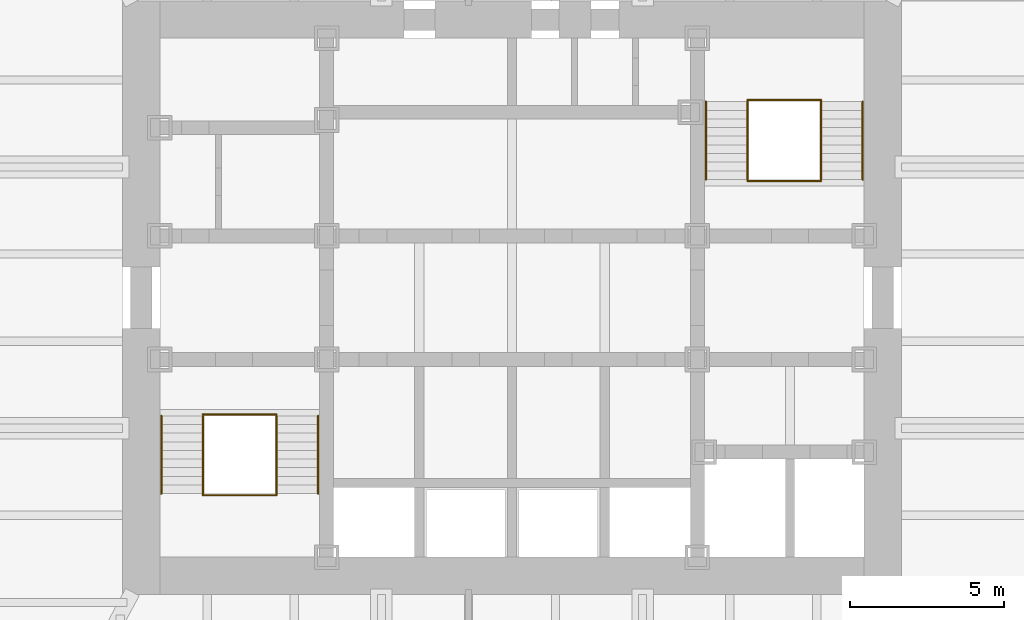
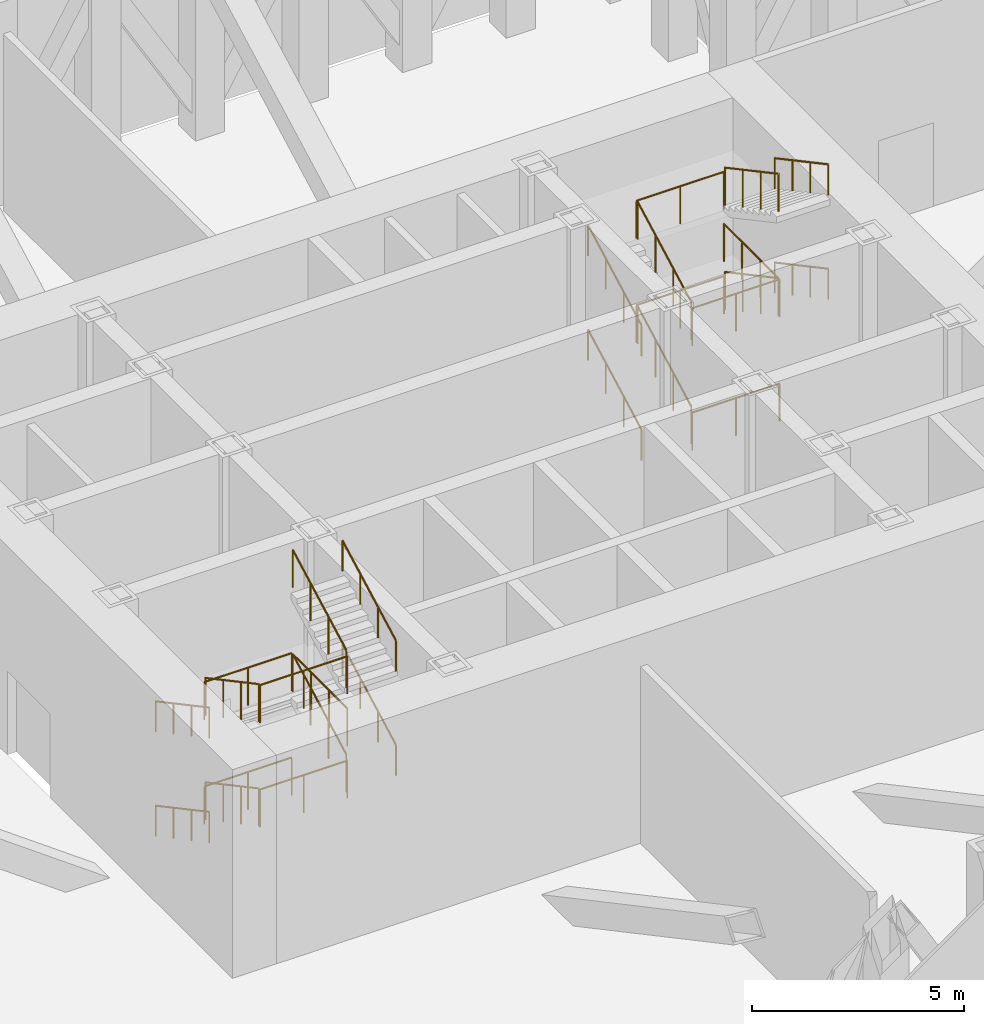
# One storey, part 12 of 12: 26 railings.
"""IFC4 building model written with IfcOpenShell, lengths in metres."""

from ifc_helpers import new_model, si_unit, direction, frame, origin, origin_2d, place, context, subcontext, project, spatial, circle, extrude, material, type_object, element, save


model = new_model("IFC4")

# Units and contexts
model_context = context("Model", 3, precision=1e-05, world=origin(), true_north=direction((0.0, 1.0)))
body_context = subcontext(model_context, "Body", "Model", "MODEL_VIEW")
ifc_project = project(units=[si_unit("LENGTHUNIT", "METRE"), si_unit("AREAUNIT", "SQUARE_METRE"), si_unit("VOLUMEUNIT", "CUBIC_METRE"), si_unit("PLANEANGLEUNIT", "RADIAN"), si_unit("MASSUNIT", "GRAM", prefix="KILO")], contexts=[model_context])

# Site, building, storey
site_placement = place(None, origin())
site = spatial("IfcSite", under=ifc_project, at=site_placement, CompositionType="ELEMENT")
building_placement = place(site_placement, origin())
building = spatial("IfcBuilding", under=site, at=building_placement, Name="Daluyong Arena Tower", CompositionType="ELEMENT")
storey_placement = place(building_placement, frame((0.0, 0.0, 244.300048828125)))
storey = spatial("IfcBuildingStorey", under=building, at=storey_placement, Name="L55", CompositionType="ELEMENT", Elevation=244.300048828125)

# Railings
ifc_material_1 = material(Name="Stainless steel handrail", Category="steel")
railing_type_1 = type_object("IfcRailingType", Name="Stair handrail", PredefinedType="HANDRAIL", material=ifc_material_1)
railing_1_placement = place(storey_placement, frame((44.64990234375, 76.175048828125, 0.14990234375)))
element("IfcRailing", 1, at=railing_1_placement, inside=storey, type_object=railing_type_1, Name="exit stair A handrail L55", PredefinedType="HANDRAIL", context=body_context, shape_type="SweptSolid", body=[
    extrude(circle(Radius=0.02392578125, at=origin_2d()), frame((0.0, 0.0, 0.8759765625), z_axis=(0.0, -0.881467274426, 0.472245110209), x_axis=(1.0, 0.0, 0.0)), (0.0, 0.0, 1.0), 2.85888671875),
    extrude(circle(Radius=0.02099609375, at=origin_2d()), origin(), (0.0, 0.0, 1.0), 0.851806640625),
    extrude(circle(Radius=0.02099609375, at=origin_2d()), frame((0.0, -0.840087890625, 0.449951171875)), (0.0, 0.0, 1.0), 0.851806640625),
    extrude(circle(Radius=0.02099609375, at=origin_2d()), frame((0.0, -1.679931640625, 0.900146484375)), (0.0, 0.0, 1.0), 0.851806640625),
    extrude(circle(Radius=0.02099609375, at=origin_2d()), frame((0.0, -2.52001953125, 1.35009765625)), (0.0, 0.0, 1.0), 0.851806640625),
])
railing_2_placement = place(storey_placement, frame((49.72509765625, 73.655029296875, 1.64990234375)))
element("IfcRailing", 2, at=railing_2_placement, inside=storey, type_object=railing_type_1, Name="exit stair A handrail L55", PredefinedType="HANDRAIL", context=body_context, shape_type="SweptSolid", body=[
    extrude(circle(Radius=0.02392578125, at=origin_2d()), frame((0.0, 0.0, 0.8759765625), z_axis=(0.0, 0.881467274426, 0.472245110209), x_axis=(-1.0, 0.0, 0.0)), (0.0, 0.0, 1.0), 2.85888671875),
    extrude(circle(Radius=0.02099609375, at=origin_2d()), origin(), (0.0, 0.0, 1.0), 0.851806640625),
    extrude(circle(Radius=0.02099609375, at=origin_2d()), frame((0.0, 0.840087890625, 0.449951171875)), (0.0, 0.0, 1.0), 0.851806640625),
    extrude(circle(Radius=0.02099609375, at=origin_2d()), frame((0.0, 1.679931640625, 0.900146484375)), (0.0, 0.0, 1.0), 0.851806640625),
    extrude(circle(Radius=0.02099609375, at=origin_2d()), frame((0.0, 2.52001953125, 1.35009765625)), (0.0, 0.0, 1.0), 0.851806640625),
])
railing_3_placement = place(storey_placement, frame((44.64990234375, 76.175048828125, 3.14990234375)))
element("IfcRailing", 3, at=railing_3_placement, inside=storey, type_object=railing_type_1, Name="exit stair A handrail L55", PredefinedType="HANDRAIL", context=body_context, shape_type="SweptSolid", body=[
    extrude(circle(Radius=0.02392578125, at=origin_2d()), frame((0.0, 0.0, 0.8759765625), z_axis=(0.0, -0.881467274426, 0.472245110209), x_axis=(1.0, 0.0, 0.0)), (0.0, 0.0, 1.0), 2.85888671875),
    extrude(circle(Radius=0.02099609375, at=origin_2d()), origin(), (0.0, 0.0, 1.0), 0.851806640625),
    extrude(circle(Radius=0.02099609375, at=origin_2d()), frame((0.0, -0.840087890625, 0.449951171875)), (0.0, 0.0, 1.0), 0.851806640625),
    extrude(circle(Radius=0.02099609375, at=origin_2d()), frame((0.0, -1.679931640625, 0.900146484375)), (0.0, 0.0, 1.0), 0.851806640625),
    extrude(circle(Radius=0.02099609375, at=origin_2d()), frame((0.0, -2.52001953125, 1.35009765625)), (0.0, 0.0, 1.0), 0.851806640625),
])
for number, where, name in (
    (4, (49.72509765625, 73.655029296875, 4.64990234375), "exit stair A handrail L55"),
    (5, (62.27490234375, 83.824951171875, 0.14990234375), "exit stair B handrail L55"),
):
    element("IfcRailing", number, at=place(storey_placement, frame(where)), inside=storey, type_object=railing_type_1, Name=name, PredefinedType="HANDRAIL", context=body_context, shape_type="SweptSolid", body=[
        extrude(circle(Radius=0.02392578125, at=origin_2d()), frame((0.0, 0.0, 0.8759765625), z_axis=(0.0, 0.881467274426, 0.472245110209), x_axis=(-1.0, 0.0, 0.0)), (0.0, 0.0, 1.0), 2.85888671875),
        extrude(circle(Radius=0.02099609375, at=origin_2d()), origin(), (0.0, 0.0, 1.0), 0.851806640625),
        extrude(circle(Radius=0.02099609375, at=origin_2d()), frame((0.0, 0.840087890625, 0.449951171875)), (0.0, 0.0, 1.0), 0.851806640625),
        extrude(circle(Radius=0.02099609375, at=origin_2d()), frame((0.0, 1.679931640625, 0.900146484375)), (0.0, 0.0, 1.0), 0.851806640625),
        extrude(circle(Radius=0.02099609375, at=origin_2d()), frame((0.0, 2.52001953125, 1.35009765625)), (0.0, 0.0, 1.0), 0.851806640625),
    ])
railing_4_placement = place(storey_placement, frame((67.35009765625, 86.344970703125, 1.64990234375)))
element("IfcRailing", 6, at=railing_4_placement, inside=storey, type_object=railing_type_1, Name="exit stair B handrail L55", PredefinedType="HANDRAIL", context=body_context, shape_type="SweptSolid", body=[
    extrude(circle(Radius=0.02392578125, at=origin_2d()), frame((0.0, 0.0, 0.8759765625), z_axis=(0.0, -0.881467274426, 0.472245110209), x_axis=(1.0, 0.0, 0.0)), (0.0, 0.0, 1.0), 2.85888671875),
    extrude(circle(Radius=0.02099609375, at=origin_2d()), origin(), (0.0, 0.0, 1.0), 0.851806640625),
    extrude(circle(Radius=0.02099609375, at=origin_2d()), frame((0.0, -0.840087890625, 0.449951171875)), (0.0, 0.0, 1.0), 0.851806640625),
    extrude(circle(Radius=0.02099609375, at=origin_2d()), frame((0.0, -1.679931640625, 0.900146484375)), (0.0, 0.0, 1.0), 0.851806640625),
    extrude(circle(Radius=0.02099609375, at=origin_2d()), frame((0.0, -2.52001953125, 1.35009765625)), (0.0, 0.0, 1.0), 0.851806640625),
])
railing_5_placement = place(storey_placement, frame((62.27490234375, 83.824951171875, 3.14990234375)))
element("IfcRailing", 7, at=railing_5_placement, inside=storey, type_object=railing_type_1, Name="exit stair B handrail L55", PredefinedType="HANDRAIL", context=body_context, shape_type="SweptSolid", body=[
    extrude(circle(Radius=0.02392578125, at=origin_2d()), frame((0.0, 0.0, 0.8759765625), z_axis=(0.0, 0.881467274426, 0.472245110209), x_axis=(-1.0, 0.0, 0.0)), (0.0, 0.0, 1.0), 2.85888671875),
    extrude(circle(Radius=0.02099609375, at=origin_2d()), origin(), (0.0, 0.0, 1.0), 0.851806640625),
    extrude(circle(Radius=0.02099609375, at=origin_2d()), frame((0.0, 0.840087890625, 0.449951171875)), (0.0, 0.0, 1.0), 0.851806640625),
    extrude(circle(Radius=0.02099609375, at=origin_2d()), frame((0.0, 1.679931640625, 0.900146484375)), (0.0, 0.0, 1.0), 0.851806640625),
    extrude(circle(Radius=0.02099609375, at=origin_2d()), frame((0.0, 2.52001953125, 1.35009765625)), (0.0, 0.0, 1.0), 0.851806640625),
])
railing_6_placement = place(storey_placement, frame((67.35009765625, 86.344970703125, 4.64990234375)))
element("IfcRailing", 8, at=railing_6_placement, inside=storey, type_object=railing_type_1, Name="exit stair B handrail L55", PredefinedType="HANDRAIL", context=body_context, shape_type="SweptSolid", body=[
    extrude(circle(Radius=0.02392578125, at=origin_2d()), frame((0.0, 0.0, 0.8759765625), z_axis=(0.0, -0.881467274426, 0.472245110209), x_axis=(1.0, 0.0, 0.0)), (0.0, 0.0, 1.0), 2.85888671875),
    extrude(circle(Radius=0.02099609375, at=origin_2d()), origin(), (0.0, 0.0, 1.0), 0.851806640625),
    extrude(circle(Radius=0.02099609375, at=origin_2d()), frame((0.0, -0.840087890625, 0.449951171875)), (0.0, 0.0, 1.0), 0.851806640625),
    extrude(circle(Radius=0.02099609375, at=origin_2d()), frame((0.0, -1.679931640625, 0.900146484375)), (0.0, 0.0, 1.0), 0.851806640625),
    extrude(circle(Radius=0.02099609375, at=origin_2d()), frame((0.0, -2.52001953125, 1.35009765625)), (0.0, 0.0, 1.0), 0.851806640625),
])
ifc_material_2 = material(Name="Steel balustrade", Category="steel")
railing_type_2 = type_object("IfcRailingType", Name="Stair well guard 1100", PredefinedType="GUARDRAIL", material=ifc_material_2)
railing_7_placement = place(storey_placement, frame((46.0, 76.175048828125, 0.14990234375)))
element("IfcRailing", 9, at=railing_7_placement, inside=storey, type_object=railing_type_2, Name="exit stair A well guard L55", PredefinedType="GUARDRAIL", context=body_context, shape_type="SweptSolid", body=[
    extrude(circle(Radius=0.02392578125, at=origin_2d()), frame((0.0, 0.0, 1.076171875), z_axis=(0.0, -0.881467274426, 0.472245110209), x_axis=(1.0, 0.0, 0.0)), (0.0, 0.0, 1.0), 2.85888671875),
    extrude(circle(Radius=0.02099609375, at=origin_2d()), origin(), (0.0, 0.0, 1.0), 1.052001953125),
    extrude(circle(Radius=0.02099609375, at=origin_2d()), frame((0.0, -0.840087890625, 0.449951171875)), (0.0, 0.0, 1.0), 1.052001953125),
    extrude(circle(Radius=0.02099609375, at=origin_2d()), frame((0.0, -1.679931640625, 0.900146484375)), (0.0, 0.0, 1.0), 1.052001953125),
    extrude(circle(Radius=0.02099609375, at=origin_2d()), frame((0.0, -2.52001953125, 1.35009765625)), (0.0, 0.0, 1.0), 1.052001953125),
])
railing_8_placement = place(storey_placement, frame((48.375, 73.655029296875, 1.64990234375)))
element("IfcRailing", 10, at=railing_8_placement, inside=storey, type_object=railing_type_2, Name="exit stair A well guard L55", PredefinedType="GUARDRAIL", context=body_context, shape_type="SweptSolid", body=[
    extrude(circle(Radius=0.02392578125, at=origin_2d()), frame((0.0, 0.0, 1.076171875), z_axis=(0.0, 0.881467274426, 0.472245110209), x_axis=(-1.0, 0.0, 0.0)), (0.0, 0.0, 1.0), 2.85888671875),
    extrude(circle(Radius=0.02099609375, at=origin_2d()), origin(), (0.0, 0.0, 1.0), 1.052001953125),
    extrude(circle(Radius=0.02099609375, at=origin_2d()), frame((0.0, 0.840087890625, 0.449951171875)), (0.0, 0.0, 1.0), 1.052001953125),
    extrude(circle(Radius=0.02099609375, at=origin_2d()), frame((0.0, 1.679931640625, 0.900146484375)), (0.0, 0.0, 1.0), 1.052001953125),
    extrude(circle(Radius=0.02099609375, at=origin_2d()), frame((0.0, 2.52001953125, 1.35009765625)), (0.0, 0.0, 1.0), 1.052001953125),
])
railing_9_placement = place(storey_placement, frame((46.0, 76.175048828125, 3.14990234375)))
element("IfcRailing", 11, at=railing_9_placement, inside=storey, type_object=railing_type_2, Name="exit stair A well guard L55", PredefinedType="GUARDRAIL", context=body_context, shape_type="SweptSolid", body=[
    extrude(circle(Radius=0.02392578125, at=origin_2d()), frame((0.0, 0.0, 1.076171875), z_axis=(0.0, -0.881467274426, 0.472245110209), x_axis=(1.0, 0.0, 0.0)), (0.0, 0.0, 1.0), 2.85888671875),
    extrude(circle(Radius=0.02099609375, at=origin_2d()), origin(), (0.0, 0.0, 1.0), 1.052001953125),
    extrude(circle(Radius=0.02099609375, at=origin_2d()), frame((0.0, -0.840087890625, 0.449951171875)), (0.0, 0.0, 1.0), 1.052001953125),
    extrude(circle(Radius=0.02099609375, at=origin_2d()), frame((0.0, -1.679931640625, 0.900146484375)), (0.0, 0.0, 1.0), 1.052001953125),
    extrude(circle(Radius=0.02099609375, at=origin_2d()), frame((0.0, -2.52001953125, 1.35009765625)), (0.0, 0.0, 1.0), 1.052001953125),
])
railing_10_placement = place(storey_placement, frame((48.375, 73.655029296875, 4.64990234375)))
element("IfcRailing", 12, at=railing_10_placement, inside=storey, type_object=railing_type_2, Name="exit stair A well guard L55", PredefinedType="GUARDRAIL", context=body_context, shape_type="SweptSolid", body=[
    extrude(circle(Radius=0.02392578125, at=origin_2d()), frame((0.0, 0.0, 1.076171875), z_axis=(0.0, 0.881467274426, 0.472245110209), x_axis=(-1.0, 0.0, 0.0)), (0.0, 0.0, 1.0), 2.85888671875),
    extrude(circle(Radius=0.02099609375, at=origin_2d()), origin(), (0.0, 0.0, 1.0), 1.052001953125),
    extrude(circle(Radius=0.02099609375, at=origin_2d()), frame((0.0, 0.840087890625, 0.449951171875)), (0.0, 0.0, 1.0), 1.052001953125),
    extrude(circle(Radius=0.02099609375, at=origin_2d()), frame((0.0, 1.679931640625, 0.900146484375)), (0.0, 0.0, 1.0), 1.052001953125),
    extrude(circle(Radius=0.02099609375, at=origin_2d()), frame((0.0, 2.52001953125, 1.35009765625)), (0.0, 0.0, 1.0), 1.052001953125),
])
for number, where, name in (
    (13, (46.0, 73.60498046875, 1.5), "exit stair A landing guard L55"),
    (14, (46.0, 76.22509765625, 3.0), "exit stair A landing guard L55"),
    (15, (46.0, 73.60498046875, 4.5), "exit stair A landing guard L55"),
):
    element("IfcRailing", number, at=place(storey_placement, frame(where)), inside=storey, type_object=railing_type_2, Name=name, PredefinedType="GUARDRAIL", context=body_context, shape_type="SweptSolid", body=[
        extrude(circle(Radius=0.02392578125, at=origin_2d()), frame((0.0, 0.0, 1.076171875), z_axis=(1.0, 0.0, 0.0), x_axis=(0.0, 1.0, 0.0)), (0.0, 0.0, 1.0), 2.375),
        extrude(circle(Radius=0.02099609375, at=origin_2d()), origin(), (0.0, 0.0, 1.0), 1.052001953125),
        extrude(circle(Radius=0.02099609375, at=origin_2d()), frame((1.1875, 0.0, 0.0)), (0.0, 0.0, 1.0), 1.052001953125),
        extrude(circle(Radius=0.02099609375, at=origin_2d()), frame((2.375, 0.0, 0.0)), (0.0, 0.0, 1.0), 1.052001953125),
    ])
railing_11_placement = place(storey_placement, frame((48.375, 73.60498046875, 3.0)))
element("IfcRailing", 16, at=railing_11_placement, inside=storey, type_object=railing_type_2, Name="exit stair A landing guard L55", PredefinedType="GUARDRAIL", context=body_context, shape_type="SweptSolid", body=[
    extrude(circle(Radius=0.02392578125, at=origin_2d()), frame((0.0, 0.0, 1.076171875), z_axis=(0.0, 1.0, 0.0), x_axis=(-1.0, 0.0, 0.0)), (0.0, 0.0, 1.0), 2.570068359375),
    extrude(circle(Radius=0.02099609375, at=origin_2d()), origin(), (0.0, 0.0, 1.0), 1.052001953125),
    extrude(circle(Radius=0.02099609375, at=origin_2d()), frame((0.0, 0.856689453125, 0.0)), (0.0, 0.0, 1.0), 1.052001953125),
    extrude(circle(Radius=0.02099609375, at=origin_2d()), frame((0.0, 1.71337890625, 0.0)), (0.0, 0.0, 1.0), 1.052001953125),
    extrude(circle(Radius=0.02099609375, at=origin_2d()), frame((0.0, 2.570068359375, 0.0)), (0.0, 0.0, 1.0), 1.052001953125),
])
railing_12_placement = place(storey_placement, frame((46.0, 76.22509765625, 0.0)))
element("IfcRailing", 17, at=railing_12_placement, inside=storey, type_object=railing_type_2, Name="exit stair A floor landing guard L55", PredefinedType="GUARDRAIL", context=body_context, shape_type="SweptSolid", body=[
    extrude(circle(Radius=0.02392578125, at=origin_2d()), frame((0.0, 0.0, 1.076171875), z_axis=(1.0, 0.0, 0.0), x_axis=(0.0, 1.0, 0.0)), (0.0, 0.0, 1.0), 2.375),
    extrude(circle(Radius=0.02099609375, at=origin_2d()), origin(), (0.0, 0.0, 1.0), 1.052001953125),
    extrude(circle(Radius=0.02099609375, at=origin_2d()), frame((1.1875, 0.0, 0.0)), (0.0, 0.0, 1.0), 1.052001953125),
    extrude(circle(Radius=0.02099609375, at=origin_2d()), frame((2.375, 0.0, 0.0)), (0.0, 0.0, 1.0), 1.052001953125),
])
railing_13_placement = place(storey_placement, frame((63.625, 83.824951171875, 0.14990234375)))
element("IfcRailing", 18, at=railing_13_placement, inside=storey, type_object=railing_type_2, Name="exit stair B well guard L55", PredefinedType="GUARDRAIL", context=body_context, shape_type="SweptSolid", body=[
    extrude(circle(Radius=0.02392578125, at=origin_2d()), frame((0.0, 0.0, 1.076171875), z_axis=(0.0, 0.881467274426, 0.472245110209), x_axis=(-1.0, 0.0, 0.0)), (0.0, 0.0, 1.0), 2.85888671875),
    extrude(circle(Radius=0.02099609375, at=origin_2d()), origin(), (0.0, 0.0, 1.0), 1.052001953125),
    extrude(circle(Radius=0.02099609375, at=origin_2d()), frame((0.0, 0.840087890625, 0.449951171875)), (0.0, 0.0, 1.0), 1.052001953125),
    extrude(circle(Radius=0.02099609375, at=origin_2d()), frame((0.0, 1.679931640625, 0.900146484375)), (0.0, 0.0, 1.0), 1.052001953125),
    extrude(circle(Radius=0.02099609375, at=origin_2d()), frame((0.0, 2.52001953125, 1.35009765625)), (0.0, 0.0, 1.0), 1.052001953125),
])
railing_14_placement = place(storey_placement, frame((66.0, 86.344970703125, 1.64990234375)))
element("IfcRailing", 19, at=railing_14_placement, inside=storey, type_object=railing_type_2, Name="exit stair B well guard L55", PredefinedType="GUARDRAIL", context=body_context, shape_type="SweptSolid", body=[
    extrude(circle(Radius=0.02392578125, at=origin_2d()), frame((0.0, 0.0, 1.076171875), z_axis=(0.0, -0.881467274426, 0.472245110209), x_axis=(1.0, 0.0, 0.0)), (0.0, 0.0, 1.0), 2.85888671875),
    extrude(circle(Radius=0.02099609375, at=origin_2d()), origin(), (0.0, 0.0, 1.0), 1.052001953125),
    extrude(circle(Radius=0.02099609375, at=origin_2d()), frame((0.0, -0.840087890625, 0.449951171875)), (0.0, 0.0, 1.0), 1.052001953125),
    extrude(circle(Radius=0.02099609375, at=origin_2d()), frame((0.0, -1.679931640625, 0.900146484375)), (0.0, 0.0, 1.0), 1.052001953125),
    extrude(circle(Radius=0.02099609375, at=origin_2d()), frame((0.0, -2.52001953125, 1.35009765625)), (0.0, 0.0, 1.0), 1.052001953125),
])
railing_15_placement = place(storey_placement, frame((63.625, 83.824951171875, 3.14990234375)))
element("IfcRailing", 20, at=railing_15_placement, inside=storey, type_object=railing_type_2, Name="exit stair B well guard L55", PredefinedType="GUARDRAIL", context=body_context, shape_type="SweptSolid", body=[
    extrude(circle(Radius=0.02392578125, at=origin_2d()), frame((0.0, 0.0, 1.076171875), z_axis=(0.0, 0.881467274426, 0.472245110209), x_axis=(-1.0, 0.0, 0.0)), (0.0, 0.0, 1.0), 2.85888671875),
    extrude(circle(Radius=0.02099609375, at=origin_2d()), origin(), (0.0, 0.0, 1.0), 1.052001953125),
    extrude(circle(Radius=0.02099609375, at=origin_2d()), frame((0.0, 0.840087890625, 0.449951171875)), (0.0, 0.0, 1.0), 1.052001953125),
    extrude(circle(Radius=0.02099609375, at=origin_2d()), frame((0.0, 1.679931640625, 0.900146484375)), (0.0, 0.0, 1.0), 1.052001953125),
    extrude(circle(Radius=0.02099609375, at=origin_2d()), frame((0.0, 2.52001953125, 1.35009765625)), (0.0, 0.0, 1.0), 1.052001953125),
])
railing_16_placement = place(storey_placement, frame((66.0, 86.344970703125, 4.64990234375)))
element("IfcRailing", 21, at=railing_16_placement, inside=storey, type_object=railing_type_2, Name="exit stair B well guard L55", PredefinedType="GUARDRAIL", context=body_context, shape_type="SweptSolid", body=[
    extrude(circle(Radius=0.02392578125, at=origin_2d()), frame((0.0, 0.0, 1.076171875), z_axis=(0.0, -0.881467274426, 0.472245110209), x_axis=(1.0, 0.0, 0.0)), (0.0, 0.0, 1.0), 2.85888671875),
    extrude(circle(Radius=0.02099609375, at=origin_2d()), origin(), (0.0, 0.0, 1.0), 1.052001953125),
    extrude(circle(Radius=0.02099609375, at=origin_2d()), frame((0.0, -0.840087890625, 0.449951171875)), (0.0, 0.0, 1.0), 1.052001953125),
    extrude(circle(Radius=0.02099609375, at=origin_2d()), frame((0.0, -1.679931640625, 0.900146484375)), (0.0, 0.0, 1.0), 1.052001953125),
    extrude(circle(Radius=0.02099609375, at=origin_2d()), frame((0.0, -2.52001953125, 1.35009765625)), (0.0, 0.0, 1.0), 1.052001953125),
])
for number, where, name in (
    (22, (63.625, 86.39501953125, 1.5), "exit stair B landing guard L55"),
    (23, (63.625, 83.77490234375, 3.0), "exit stair B landing guard L55"),
    (24, (63.625, 86.39501953125, 4.5), "exit stair B landing guard L55"),
):
    element("IfcRailing", number, at=place(storey_placement, frame(where)), inside=storey, type_object=railing_type_2, Name=name, PredefinedType="GUARDRAIL", context=body_context, shape_type="SweptSolid", body=[
        extrude(circle(Radius=0.02392578125, at=origin_2d()), frame((0.0, 0.0, 1.076171875), z_axis=(1.0, 0.0, 0.0), x_axis=(0.0, 1.0, 0.0)), (0.0, 0.0, 1.0), 2.375),
        extrude(circle(Radius=0.02099609375, at=origin_2d()), origin(), (0.0, 0.0, 1.0), 1.052001953125),
        extrude(circle(Radius=0.02099609375, at=origin_2d()), frame((1.1875, 0.0, 0.0)), (0.0, 0.0, 1.0), 1.052001953125),
        extrude(circle(Radius=0.02099609375, at=origin_2d()), frame((2.375, 0.0, 0.0)), (0.0, 0.0, 1.0), 1.052001953125),
    ])
railing_17_placement = place(storey_placement, frame((66.0, 86.39501953125, 3.0)))
element("IfcRailing", 25, at=railing_17_placement, inside=storey, type_object=railing_type_2, Name="exit stair B landing guard L55", PredefinedType="GUARDRAIL", context=body_context, shape_type="SweptSolid", body=[
    extrude(circle(Radius=0.02392578125, at=origin_2d()), frame((0.0, 0.0, 1.076171875), z_axis=(0.0, -1.0, 0.0), x_axis=(1.0, 0.0, 0.0)), (0.0, 0.0, 1.0), 2.570068359375),
    extrude(circle(Radius=0.02099609375, at=origin_2d()), origin(), (0.0, 0.0, 1.0), 1.052001953125),
    extrude(circle(Radius=0.02099609375, at=origin_2d()), frame((0.0, -0.856689453125, 0.0)), (0.0, 0.0, 1.0), 1.052001953125),
    extrude(circle(Radius=0.02099609375, at=origin_2d()), frame((0.0, -1.71337890625, 0.0)), (0.0, 0.0, 1.0), 1.052001953125),
    extrude(circle(Radius=0.02099609375, at=origin_2d()), frame((0.0, -2.570068359375, 0.0)), (0.0, 0.0, 1.0), 1.052001953125),
])
railing_18_placement = place(storey_placement, frame((63.625, 83.77490234375, 0.0)))
element("IfcRailing", 26, at=railing_18_placement, inside=storey, type_object=railing_type_2, Name="exit stair B floor landing guard L55", PredefinedType="GUARDRAIL", context=body_context, shape_type="SweptSolid", body=[
    extrude(circle(Radius=0.02392578125, at=origin_2d()), frame((0.0, 0.0, 1.076171875), z_axis=(1.0, 0.0, 0.0), x_axis=(0.0, 1.0, 0.0)), (0.0, 0.0, 1.0), 2.375),
    extrude(circle(Radius=0.02099609375, at=origin_2d()), origin(), (0.0, 0.0, 1.0), 1.052001953125),
    extrude(circle(Radius=0.02099609375, at=origin_2d()), frame((1.1875, 0.0, 0.0)), (0.0, 0.0, 1.0), 1.052001953125),
    extrude(circle(Radius=0.02099609375, at=origin_2d()), frame((2.375, 0.0, 0.0)), (0.0, 0.0, 1.0), 1.052001953125),
])

save(model, "model.ifc")
